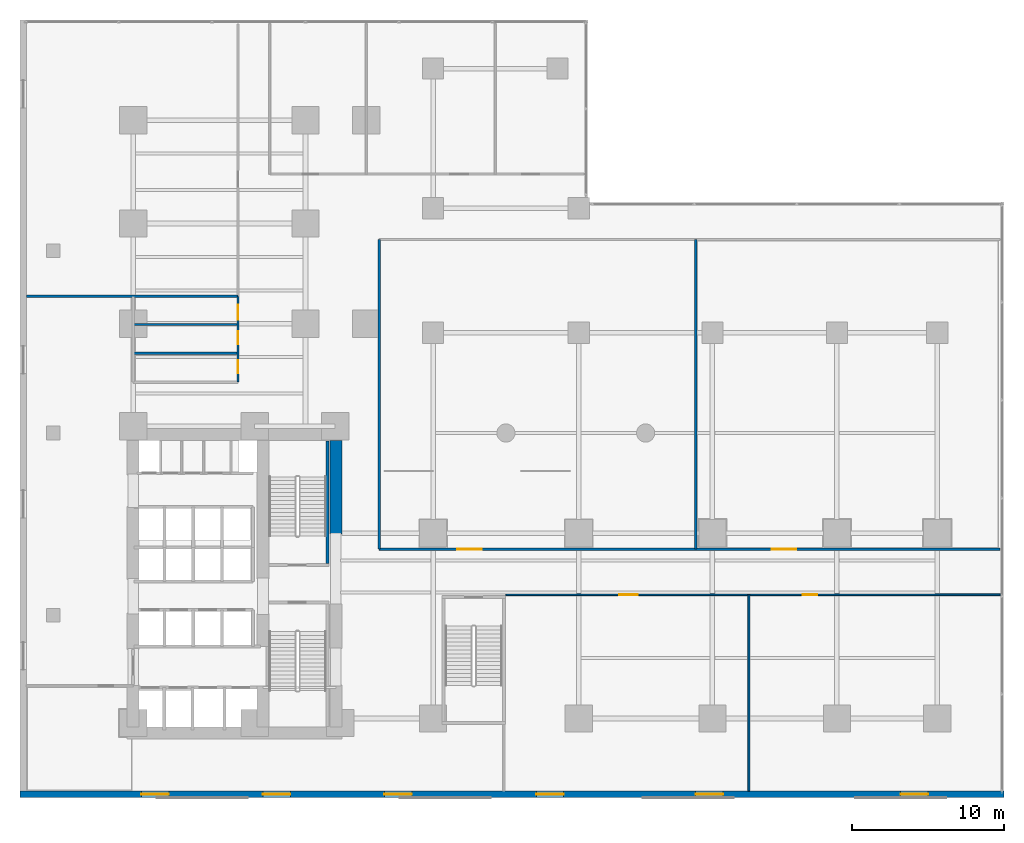
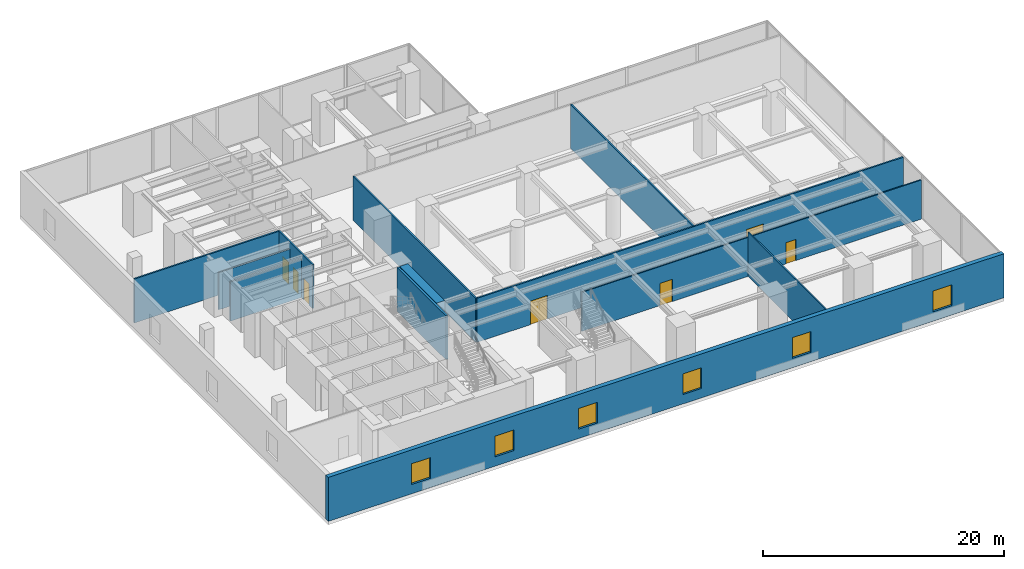
# One storey, part 13 of 16: 12 walls, 7 doors, 6 windows, 13 openings.
"""IFC4 building model written with IfcOpenShell, lengths in metres."""

from ifc_helpers import new_model, si_unit, direction, frame, frame_2d, origin, place, context, subcontext, project, spatial, rectangle, extrude, material, layer, layer_set, type_object, element, fill, save


model = new_model("IFC4")

# Units and contexts
model_context = context("Model", 3, precision=1e-05, world=origin(), true_north=direction((0.0, 1.0)))
body_context = subcontext(model_context, "Body", "Model", "MODEL_VIEW")
ifc_project = project(units=[si_unit("LENGTHUNIT", "METRE"), si_unit("AREAUNIT", "SQUARE_METRE"), si_unit("VOLUMEUNIT", "CUBIC_METRE"), si_unit("PLANEANGLEUNIT", "RADIAN"), si_unit("MASSUNIT", "GRAM", prefix="KILO")], contexts=[model_context])

# Site, building, storey
site_placement = place(None, origin())
site = spatial("IfcSite", under=ifc_project, at=site_placement, CompositionType="ELEMENT")
building_placement = place(site_placement, origin())
building = spatial("IfcBuilding", under=site, at=building_placement, Name="Kolvaren Waterfront Exchange", CompositionType="ELEMENT")
storey_placement = place(building_placement, frame((0.0, 0.0, 10.39990234375)))
storey = spatial("IfcBuildingStorey", under=building, at=storey_placement, Name="L03", CompositionType="ELEMENT", Elevation=10.39990234375)

# Wall, openings, windows
ifc_material_1 = material(Name="Precast concrete C40/50", Category="concrete")
ifc_layer_1 = layer(ifc_material_1, 0.419921875, Name="Precast concrete C40/50")
ifc_layer_set_1 = layer_set([ifc_layer_1], Name="Precast concrete C40/50")
wall_type_1 = type_object("IfcWallType", Name="ARC-EXT-GRANITE-420", PredefinedType="SOLIDWALL", material=ifc_layer_set_1)
wall_1_placement = place(storey_placement, frame((0.0, 0.2099609375, 0.0), z_axis=(0.0, 0.0, 1.0), x_axis=(1.0, 0.0, 0.0)))
wall_1 = element("IfcWall", 1, at=wall_1_placement, inside=storey, type_object=wall_type_1, Name="L03 south granite precast facade wall", PredefinedType="SOLIDWALL", context=body_context, shape_type="SweptSolid", body=[
    extrude(rectangle(XDim=64.800048828125, YDim=0.419921875, at=frame_2d((32.39990234375, 0.0))), origin(), (0.0, 0.0, 1.0), 4.460205078125),
])
opening_1_placement = place(wall_1_placement, frame((8.0, 0.0, 0.949951171875)))
opening_1 = element("IfcOpeningElement", 2, at=opening_1_placement, cuts=wall_1, Name="Opening W03", PredefinedType="OPENING", context=body_context, shape_type="SweptSolid", body=[
    extrude(rectangle(XDim=1.800048828125, YDim=2.10009765625, at=frame_2d((0.89990234375, 1.050048828125))), frame((0.0, 0.219970703125, 0.0), z_axis=(0.0, -1.0, 0.0), x_axis=(1.0, 0.0, 0.0)), (0.0, 0.0, 1.0), 0.43994140625),
])
opening_2_placement = place(wall_1_placement, frame((16.0, 0.0, 0.949951171875)))
opening_2 = element("IfcOpeningElement", 3, at=opening_2_placement, cuts=wall_1, Name="Opening W03", PredefinedType="OPENING", context=body_context, shape_type="SweptSolid", body=[
    extrude(rectangle(XDim=1.800048828125, YDim=2.10009765625, at=frame_2d((0.89990234375, 1.050048828125))), frame((0.0, 0.219970703125, 0.0), z_axis=(0.0, -1.0, 0.0), x_axis=(1.0, 0.0, 0.0)), (0.0, 0.0, 1.0), 0.43994140625),
])
opening_3_placement = place(wall_1_placement, frame((24.0, 0.0, 0.949951171875)))
opening_3 = element("IfcOpeningElement", 4, at=opening_3_placement, cuts=wall_1, Name="Opening W03", PredefinedType="OPENING", context=body_context, shape_type="SweptSolid", body=[
    extrude(rectangle(XDim=1.800048828125, YDim=2.10009765625, at=frame_2d((0.89990234375, 1.050048828125))), frame((0.0, 0.219970703125, 0.0), z_axis=(0.0, -1.0, 0.0), x_axis=(1.0, 0.0, 0.0)), (0.0, 0.0, 1.0), 0.43994140625),
])
opening_4_placement = place(wall_1_placement, frame((34.0, 0.0, 0.949951171875)))
opening_4 = element("IfcOpeningElement", 5, at=opening_4_placement, cuts=wall_1, Name="Opening W03", PredefinedType="OPENING", context=body_context, shape_type="SweptSolid", body=[
    extrude(rectangle(XDim=1.800048828125, YDim=2.10009765625, at=frame_2d((0.89990234375, 1.050048828125))), frame((0.0, 0.219970703125, 0.0), z_axis=(0.0, -1.0, 0.0), x_axis=(1.0, 0.0, 0.0)), (0.0, 0.0, 1.0), 0.43994140625),
])
opening_5_placement = place(wall_1_placement, frame((44.5, 0.0, 0.949951171875)))
opening_5 = element("IfcOpeningElement", 6, at=opening_5_placement, cuts=wall_1, Name="Opening W03", PredefinedType="OPENING", context=body_context, shape_type="SweptSolid", body=[
    extrude(rectangle(XDim=1.800048828125, YDim=2.10009765625, at=frame_2d((0.89990234375, 1.050048828125))), frame((0.0, 0.219970703125, 0.0), z_axis=(0.0, -1.0, 0.0), x_axis=(1.0, 0.0, 0.0)), (0.0, 0.0, 1.0), 0.43994140625),
])
opening_6_placement = place(wall_1_placement, frame((58.0, 0.0, 0.949951171875)))
opening_6 = element("IfcOpeningElement", 7, at=opening_6_placement, cuts=wall_1, Name="Opening W03", PredefinedType="OPENING", context=body_context, shape_type="SweptSolid", body=[
    extrude(rectangle(XDim=1.800048828125, YDim=2.10009765625, at=frame_2d((0.89990234375, 1.050048828125))), frame((0.0, 0.219970703125, 0.0), z_axis=(0.0, -1.0, 0.0), x_axis=(1.0, 0.0, 0.0)), (0.0, 0.0, 1.0), 0.43994140625),
])
ifc_material_2 = material(Name="Bronze solar control vision glass", Category="aluminium")
window_type = type_object("IfcWindowType", Name="ARC-WIN-1800x2100", PartitioningType="SINGLE_PANEL", PredefinedType="WINDOW", material=ifc_material_2)
window_1_placement = place(opening_1_placement, origin())
window_1 = element("IfcWindow", 8, at=window_1_placement, inside=storey, type_object=window_type, Name="L03 south modular window 1", OverallHeight=2.10009765625, OverallWidth=1.800048828125, PartitioningType="SINGLE_PANEL", PredefinedType="WINDOW", context=body_context, shape_type="SweptSolid", body=[
    extrude(rectangle(XDim=1.800048828125, YDim=2.10009765625, at=frame_2d((0.89990234375, 1.050048828125))), frame((0.0, 0.030029296875, 0.0), z_axis=(0.0, -1.0, 0.0), x_axis=(1.0, 0.0, 0.0)), (0.0, 0.0, 1.0), 0.06005859375),
])
fill(opening_1, window_1)
window_2_placement = place(opening_2_placement, origin())
window_2 = element("IfcWindow", 9, at=window_2_placement, inside=storey, type_object=window_type, Name="L03 south modular window 2", OverallHeight=2.10009765625, OverallWidth=1.800048828125, PartitioningType="SINGLE_PANEL", PredefinedType="WINDOW", context=body_context, shape_type="SweptSolid", body=[
    extrude(rectangle(XDim=1.800048828125, YDim=2.10009765625, at=frame_2d((0.89990234375, 1.050048828125))), frame((0.0, 0.030029296875, 0.0), z_axis=(0.0, -1.0, 0.0), x_axis=(1.0, 0.0, 0.0)), (0.0, 0.0, 1.0), 0.06005859375),
])
fill(opening_2, window_2)
window_3_placement = place(opening_3_placement, origin())
window_3 = element("IfcWindow", 10, at=window_3_placement, inside=storey, type_object=window_type, Name="L03 south modular window 3", OverallHeight=2.10009765625, OverallWidth=1.800048828125, PartitioningType="SINGLE_PANEL", PredefinedType="WINDOW", context=body_context, shape_type="SweptSolid", body=[
    extrude(rectangle(XDim=1.800048828125, YDim=2.10009765625, at=frame_2d((0.89990234375, 1.050048828125))), frame((0.0, 0.030029296875, 0.0), z_axis=(0.0, -1.0, 0.0), x_axis=(1.0, 0.0, 0.0)), (0.0, 0.0, 1.0), 0.06005859375),
])
fill(opening_3, window_3)
window_4_placement = place(opening_4_placement, origin())
window_4 = element("IfcWindow", 11, at=window_4_placement, inside=storey, type_object=window_type, Name="L03 south modular window 4", OverallHeight=2.10009765625, OverallWidth=1.800048828125, PartitioningType="SINGLE_PANEL", PredefinedType="WINDOW", context=body_context, shape_type="SweptSolid", body=[
    extrude(rectangle(XDim=1.800048828125, YDim=2.10009765625, at=frame_2d((0.89990234375, 1.050048828125))), frame((0.0, 0.030029296875, 0.0), z_axis=(0.0, -1.0, 0.0), x_axis=(1.0, 0.0, 0.0)), (0.0, 0.0, 1.0), 0.06005859375),
])
fill(opening_4, window_4)
window_5_placement = place(opening_5_placement, origin())
window_5 = element("IfcWindow", 12, at=window_5_placement, inside=storey, type_object=window_type, Name="L03 south modular window 5", OverallHeight=2.10009765625, OverallWidth=1.800048828125, PartitioningType="SINGLE_PANEL", PredefinedType="WINDOW", context=body_context, shape_type="SweptSolid", body=[
    extrude(rectangle(XDim=1.800048828125, YDim=2.10009765625, at=frame_2d((0.89990234375, 1.050048828125))), frame((0.0, 0.030029296875, 0.0), z_axis=(0.0, -1.0, 0.0), x_axis=(1.0, 0.0, 0.0)), (0.0, 0.0, 1.0), 0.06005859375),
])
fill(opening_5, window_5)
window_6_placement = place(opening_6_placement, origin())
window_6 = element("IfcWindow", 13, at=window_6_placement, inside=storey, type_object=window_type, Name="L03 south modular window 6", OverallHeight=2.10009765625, OverallWidth=1.800048828125, PartitioningType="SINGLE_PANEL", PredefinedType="WINDOW", context=body_context, shape_type="SweptSolid", body=[
    extrude(rectangle(XDim=1.800048828125, YDim=2.10009765625, at=frame_2d((0.89990234375, 1.050048828125))), frame((0.0, 0.030029296875, 0.0), z_axis=(0.0, -1.0, 0.0), x_axis=(1.0, 0.0, 0.0)), (0.0, 0.0, 1.0), 0.06005859375),
])
fill(opening_6, window_6)

# Wall, openings, doors
ifc_material_3 = material(Name="Acoustic gypsum steel stud", Category="steel")
ifc_layer_2 = layer(ifc_material_3, 0.125, Name="Acoustic gypsum steel stud")
ifc_layer_set_2 = layer_set([ifc_layer_2], Name="Acoustic gypsum steel stud")
wall_type_2 = type_object("IfcWallType", Name="ARC-PART-125", PredefinedType="PARTITIONING", material=ifc_layer_set_2)
wall_2_placement = place(storey_placement, frame((32.0, 13.35009765625, 0.0), z_axis=(0.0, 0.0, 1.0), x_axis=(1.0, 0.0, 0.0)))
wall_2 = element("IfcWall", 14, at=wall_2_placement, inside=storey, type_object=wall_type_2, Name="L03 interior wall PW-L03-POD-SE-N", PredefinedType="PARTITIONING", context=body_context, shape_type="SweptSolid", body=[
    extrude(rectangle(XDim=32.550048828125, YDim=0.125, at=frame_2d((16.27490234375, 0.0))), origin(), (0.0, 0.0, 1.0), 3.960205078125),
])
opening_7_placement = place(wall_2_placement, frame((7.47021484375, 0.0, 0.0)))
opening_7 = element("IfcOpeningElement", 15, at=opening_7_placement, cuts=wall_2, Name="Opening D05", PredefinedType="OPENING", context=body_context, shape_type="SweptSolid", body=[
    extrude(rectangle(XDim=1.199951171875, YDim=2.25, at=frame_2d((0.60009765625, 1.125))), frame((0.0, 0.072509765625, 0.0), z_axis=(0.0, -1.0, 0.0), x_axis=(1.0, 0.0, 0.0)), (0.0, 0.0, 1.0), 0.14501953125),
])
opening_8_placement = place(wall_2_placement, frame((19.5546875, 0.0, 0.0)))
opening_8 = element("IfcOpeningElement", 16, at=opening_8_placement, cuts=wall_2, Name="Opening D02", PredefinedType="OPENING", context=body_context, shape_type="SweptSolid", body=[
    extrude(rectangle(XDim=0.949951171875, YDim=2.14990234375, at=frame_2d((0.47509765625, 1.074951171875))), frame((0.0, 0.072509765625, 0.0), z_axis=(0.0, -1.0, 0.0), x_axis=(1.0, 0.0, 0.0)), (0.0, 0.0, 1.0), 0.14501953125),
])
ifc_material_4 = material(Name="Anodised bronze framed glass", Category="aluminium")
door_type_1 = type_object("IfcDoorType", Name="ARC-DR-1200", OperationType="NOTDEFINED", PredefinedType="DOOR", material=ifc_material_4)
door_1_placement = place(opening_7_placement, origin())
door_1 = element("IfcDoor", 17, at=door_1_placement, inside=storey, type_object=door_type_1, Name="L03 door DR-L03-PCONF-D (D05)", OperationType="SINGLE_SWING_RIGHT", OverallHeight=2.25, OverallWidth=1.199951171875, PredefinedType="DOOR", context=body_context, shape_type="SweptSolid", body=[
    extrude(rectangle(XDim=1.199951171875, YDim=2.25, at=frame_2d((0.60009765625, 1.125))), frame((0.0, 0.02490234375, 0.0), z_axis=(0.0, -1.0, 0.0), x_axis=(1.0, 0.0, 0.0)), (0.0, 0.0, 1.0), 0.050048828125),
])
fill(opening_7, door_1)
ifc_material_5 = material(Name="Oak veneer acoustic timber", Category="wood")
door_type_2 = type_object("IfcDoorType", Name="ARC-DR-950", OperationType="NOTDEFINED", PredefinedType="DOOR", material=ifc_material_5)
door_2_placement = place(opening_8_placement, origin())
door_2 = element("IfcDoor", 18, at=door_2_placement, inside=storey, type_object=door_type_2, Name="L03 door DR-L03-PPANT-D (D02)", OperationType="SINGLE_SWING_LEFT", OverallHeight=2.14990234375, OverallWidth=0.949951171875, PredefinedType="DOOR", context=body_context, shape_type="SweptSolid", body=[
    extrude(rectangle(XDim=0.949951171875, YDim=2.14990234375, at=frame_2d((0.47509765625, 1.074951171875))), frame((0.0, 0.02490234375, 0.0), z_axis=(0.0, -1.0, 0.0), x_axis=(1.0, 0.0, 0.0)), (0.0, 0.0, 1.0), 0.050048828125),
])
fill(opening_8, door_2)

# Wall
wall_3_placement = place(storey_placement, frame((48.0, 0.419921875, 0.0), z_axis=(0.0, 0.0, 1.0), x_axis=(0.0, 1.0, 0.0)))
element("IfcWall", 19, at=wall_3_placement, inside=storey, type_object=wall_type_2, Name="L03 interior wall PW-L03-POD-SE-MID", PredefinedType="PARTITIONING", context=body_context, shape_type="SweptSolid", body=[
    extrude(rectangle(XDim=12.93017578125, YDim=0.125, at=frame_2d((6.465087890625, 0.0))), origin(), (0.0, 0.0, 1.0), 4.460205078125),
])

# Wall, openings, doors
ifc_material_6 = material(Name="Gypsum fireboard steel stud", Category="steel")
ifc_layer_3 = layer(ifc_material_6, 0.14990234375, Name="Gypsum fireboard steel stud")
ifc_layer_set_3 = layer_set([ifc_layer_3], Name="Gypsum fireboard steel stud")
wall_type_3 = type_object("IfcWallType", Name="ARC-PART-150", PredefinedType="PARTITIONING", material=ifc_layer_set_3)
wall_4_placement = place(storey_placement, frame((23.64990234375, 16.35009765625, 0.0), z_axis=(0.0, 0.0, 1.0), x_axis=(1.0, 0.0, 0.0)))
wall_4 = element("IfcWall", 20, at=wall_4_placement, inside=storey, type_object=wall_type_3, Name="L03 interior wall PW-L03-POD-HALL-S", PredefinedType="PARTITIONING", context=body_context, shape_type="SweptSolid", body=[
    extrude(rectangle(XDim=40.900146484375, YDim=0.14990234375, at=frame_2d((20.4501953125, 0.0))), origin(), (0.0, 0.0, 1.0), 4.460205078125),
])
opening_9_placement = place(wall_4_placement, frame((5.14990234375, 0.0, 0.0)))
opening_9 = element("IfcOpeningElement", 21, at=opening_9_placement, cuts=wall_4, Name="Opening D07", PredefinedType="OPENING", context=body_context, shape_type="SweptSolid", body=[
    extrude(rectangle(XDim=1.60009765625, YDim=2.39990234375, at=frame_2d((0.800048828125, 1.199951171875))), frame((0.0, 0.0849609375, 0.0), z_axis=(0.0, -1.0, 0.0), x_axis=(1.0, 0.0, 0.0)), (0.0, 0.0, 1.0), 0.169921875),
])
opening_10_placement = place(wall_4_placement, frame((25.870361328125, 0.0, 0.0)))
opening_10 = element("IfcOpeningElement", 22, at=opening_10_placement, cuts=wall_4, Name="Opening D07", PredefinedType="OPENING", context=body_context, shape_type="SweptSolid", body=[
    extrude(rectangle(XDim=1.60009765625, YDim=2.39990234375, at=frame_2d((0.800048828125, 1.199951171875))), frame((0.0, 0.0849609375, 0.0), z_axis=(0.0, -1.0, 0.0), x_axis=(1.0, 0.0, 0.0)), (0.0, 0.0, 1.0), 0.169921875),
])
ifc_material_7 = material(Name="Anodised bronze double leaf", Category="aluminium")
door_type_3 = type_object("IfcDoorType", Name="ARC-DR-1600", OperationType="NOTDEFINED", PredefinedType="DOOR", material=ifc_material_7)
door_3_placement = place(opening_9_placement, origin())
door_3 = element("IfcDoor", 23, at=door_3_placement, inside=storey, type_object=door_type_3, Name="L03 door DR-L03-PM1-D (D07)", OperationType="SINGLE_SWING_RIGHT", OverallHeight=2.39990234375, OverallWidth=1.60009765625, PredefinedType="DOOR", context=body_context, shape_type="SweptSolid", body=[
    extrude(rectangle(XDim=1.60009765625, YDim=2.39990234375, at=frame_2d((0.800048828125, 1.199951171875))), frame((0.0, 0.02490234375, 0.0), z_axis=(0.0, -1.0, 0.0), x_axis=(1.0, 0.0, 0.0)), (0.0, 0.0, 1.0), 0.050048828125),
])
fill(opening_9, door_3)
door_4_placement = place(opening_10_placement, origin())
door_4 = element("IfcDoor", 24, at=door_4_placement, inside=storey, type_object=door_type_3, Name="L03 door DR-L03-PM2-D (D07)", OperationType="SINGLE_SWING_LEFT", OverallHeight=2.39990234375, OverallWidth=1.60009765625, PredefinedType="DOOR", context=body_context, shape_type="SweptSolid", body=[
    extrude(rectangle(XDim=1.60009765625, YDim=2.39990234375, at=frame_2d((0.800048828125, 1.199951171875))), frame((0.0, 0.02490234375, 0.0), z_axis=(0.0, -1.0, 0.0), x_axis=(1.0, 0.0, 0.0)), (0.0, 0.0, 1.0), 0.050048828125),
])
fill(opening_10, door_4)

# Walls
for number, where, z_axis, x_axis, name in (
    (25, (23.64990234375, 16.35009765625, 0.0), (0.0, 0.0, 1.0), (0.0, 1.0, 0.0), "L03 interior wall PW-L03-POD-HALL-W"),
    (26, (44.5, 16.35009765625, 0.0), (0.0, 0.0, 1.0), (0.0, 1.0, 0.0), "L03 interior wall PW-L03-POD-HALL-MID"),
):
    element("IfcWall", number, at=place(storey_placement, frame(where, z_axis=z_axis, x_axis=x_axis)), inside=storey, type_object=wall_type_3, Name=name, PredefinedType="PARTITIONING", context=body_context, shape_type="SweptSolid", body=[
        extrude(rectangle(XDim=20.39990234375, YDim=0.14990234375, at=frame_2d((10.199951171875, 0.0))), origin(), (0.0, 0.0, 1.0), 4.460205078125),
    ])

# Wall, openings, doors
ifc_material_8 = material(Name="Moisture-resistant gypsum stud")
ifc_layer_4 = layer(ifc_material_8, 0.14990234375, Name="Moisture-resistant gypsum stud")
ifc_layer_set_4 = layer_set([ifc_layer_4], Name="Moisture-resistant gypsum stud")
wall_type_4 = type_object("IfcWallType", Name="ARC-PLUMB-150", PredefinedType="PLUMBINGWALL", material=ifc_layer_set_4)
wall_5_placement = place(storey_placement, frame((14.35009765625, 27.35009765625, 0.0), z_axis=(0.0, 0.0, 1.0), x_axis=(0.0, 1.0, 0.0)))
wall_5 = element("IfcWall", 27, at=wall_5_placement, inside=storey, type_object=wall_type_4, Name="L03 interior wall PW-L03-WC-E", PredefinedType="PLUMBINGWALL", context=body_context, shape_type="SweptSolid", body=[
    extrude(rectangle(XDim=5.64990234375, YDim=0.14990234375, at=frame_2d((2.824951171875, 0.0))), origin(), (0.0, 0.0, 1.0), 4.460205078125),
])
opening_11_placement = place(wall_5_placement, frame((0.60009765625, 0.0, 0.0)))
opening_11 = element("IfcOpeningElement", 28, at=opening_11_placement, cuts=wall_5, Name="Opening D01", PredefinedType="OPENING", context=body_context, shape_type="SweptSolid", body=[
    extrude(rectangle(XDim=0.85009765625, YDim=2.14990234375, at=frame_2d((0.425048828125, 1.074951171875))), frame((0.0, 0.0849609375, 0.0), z_axis=(0.0, -1.0, 0.0), x_axis=(1.0, 0.0, 0.0)), (0.0, 0.0, 1.0), 0.169921875),
])
opening_12_placement = place(wall_5_placement, frame((2.5, 0.0, 0.0)))
opening_12 = element("IfcOpeningElement", 29, at=opening_12_placement, cuts=wall_5, Name="Opening D01", PredefinedType="OPENING", context=body_context, shape_type="SweptSolid", body=[
    extrude(rectangle(XDim=0.85009765625, YDim=2.14990234375, at=frame_2d((0.425048828125, 1.074951171875))), frame((0.0, 0.0849609375, 0.0), z_axis=(0.0, -1.0, 0.0), x_axis=(1.0, 0.0, 0.0)), (0.0, 0.0, 1.0), 0.169921875),
])
opening_13_placement = place(wall_5_placement, frame((4.10009765625, 0.0, 0.0)))
opening_13 = element("IfcOpeningElement", 30, at=opening_13_placement, cuts=wall_5, Name="Opening D03", PredefinedType="OPENING", context=body_context, shape_type="SweptSolid", body=[
    extrude(rectangle(XDim=1.0, YDim=2.199951171875, at=frame_2d((0.5, 1.10009765625))), frame((0.0, 0.0849609375, 0.0), z_axis=(0.0, -1.0, 0.0), x_axis=(1.0, 0.0, 0.0)), (0.0, 0.0, 1.0), 0.169921875),
])
ifc_material_9 = material(Name="Oak veneer accessible timber", Category="wood")
door_type_4 = type_object("IfcDoorType", Name="ARC-DR-1000", OperationType="NOTDEFINED", PredefinedType="DOOR", material=ifc_material_9)
door_5_placement = place(opening_13_placement, origin())
door_5 = element("IfcDoor", 31, at=door_5_placement, inside=storey, type_object=door_type_4, Name="L03 door DR-L03-WCA-D (D03)", OperationType="SINGLE_SWING_RIGHT", OverallHeight=2.199951171875, OverallWidth=1.0, PredefinedType="DOOR", context=body_context, shape_type="SweptSolid", body=[
    extrude(rectangle(XDim=1.0, YDim=2.199951171875, at=frame_2d((0.5, 1.10009765625))), frame((0.0, 0.02490234375, 0.0), z_axis=(0.0, -1.0, 0.0), x_axis=(1.0, 0.0, 0.0)), (0.0, 0.0, 1.0), 0.050048828125),
])
fill(opening_13, door_5)
ifc_material_10 = material(Name="Oak veneer timber leaf", Category="wood")
door_type_5 = type_object("IfcDoorType", Name="ARC-DR-900", OperationType="NOTDEFINED", PredefinedType="DOOR", material=ifc_material_10)
door_6_placement = place(opening_11_placement, origin())
door_6 = element("IfcDoor", 32, at=door_6_placement, inside=storey, type_object=door_type_5, Name="L03 door DR-L03-WCM-D (D01)", OperationType="SINGLE_SWING_RIGHT", OverallHeight=2.14990234375, OverallWidth=0.85009765625, PredefinedType="DOOR", context=body_context, shape_type="SweptSolid", body=[
    extrude(rectangle(XDim=0.85009765625, YDim=2.14990234375, at=frame_2d((0.425048828125, 1.074951171875))), frame((0.0, 0.02490234375, 0.0), z_axis=(0.0, -1.0, 0.0), x_axis=(1.0, 0.0, 0.0)), (0.0, 0.0, 1.0), 0.050048828125),
])
fill(opening_11, door_6)
door_7_placement = place(opening_12_placement, origin())
door_7 = element("IfcDoor", 33, at=door_7_placement, inside=storey, type_object=door_type_5, Name="L03 door DR-L03-WCF-D (D01)", OperationType="SINGLE_SWING_LEFT", OverallHeight=2.14990234375, OverallWidth=0.85009765625, PredefinedType="DOOR", context=body_context, shape_type="SweptSolid", body=[
    extrude(rectangle(XDim=0.85009765625, YDim=2.14990234375, at=frame_2d((0.425048828125, 1.074951171875))), frame((0.0, 0.02490234375, 0.0), z_axis=(0.0, -1.0, 0.0), x_axis=(1.0, 0.0, 0.0)), (0.0, 0.0, 1.0), 0.050048828125),
])
fill(opening_12, door_7)

# Walls
wall_6_placement = place(storey_placement, frame((7.449951171875, 29.25, 0.0), z_axis=(0.0, 0.0, 1.0), x_axis=(1.0, 0.0, 0.0)))
element("IfcWall", 34, at=wall_6_placement, inside=storey, type_object=wall_type_4, Name="L03 interior wall PW-L03-WC-N1", PredefinedType="PLUMBINGWALL", context=body_context, shape_type="SweptSolid", body=[
    extrude(rectangle(XDim=6.900146484375, YDim=0.14990234375, at=frame_2d((3.4501953125, 0.0))), origin(), (0.0, 0.0, 1.0), 3.960205078125),
])
wall_7_placement = place(storey_placement, frame((7.449951171875, 31.14990234375, 0.0), z_axis=(0.0, 0.0, 1.0), x_axis=(1.0, 0.0, 0.0)))
element("IfcWall", 35, at=wall_7_placement, inside=storey, type_object=wall_type_4, Name="L03 interior wall PW-L03-WC-N2", PredefinedType="PLUMBINGWALL", context=body_context, shape_type="SweptSolid", body=[
    extrude(rectangle(XDim=6.900146484375, YDim=0.14990234375, at=frame_2d((3.4501953125, 0.0))), origin(), (0.0, 0.0, 1.0), 3.760009765625),
])
wall_8_placement = place(storey_placement, frame((0.419921875, 33.0, 0.0), z_axis=(0.0, 0.0, 1.0), x_axis=(1.0, 0.0, 0.0)))
element("IfcWall", 36, at=wall_8_placement, inside=storey, type_object=wall_type_4, Name="L03 interior wall PW-L03-WC-N3", PredefinedType="PLUMBINGWALL", context=body_context, shape_type="SweptSolid", body=[
    extrude(rectangle(XDim=13.93017578125, YDim=0.14990234375, at=frame_2d((6.965087890625, 0.0))), origin(), (0.0, 0.0, 1.0), 4.460205078125),
])
ifc_material_11 = material(Name="Concrete C40/50", Category="concrete")
ifc_layer_5 = layer(ifc_material_11, 0.199951171875, Name="Concrete C40/50")
ifc_layer_set_5 = layer_set([ifc_layer_5], Name="Concrete C40/50")
wall_type_5 = type_object("IfcWallType", Name="ARC-SHAFT-200", PredefinedType="PARTITIONING", material=ifc_layer_set_5)
wall_9_placement = place(storey_placement, frame((20.260009765625, 15.39990234375, 0.0), z_axis=(0.0, 0.0, 1.0), x_axis=(0.0, 1.0, 0.0)))
element("IfcWall", 37, at=wall_9_placement, inside=storey, type_object=wall_type_5, Name="L03 structural stairwell wall PW-L03-ST2-E", PredefinedType="SHEAR", context=body_context, shape_type="SweptSolid", body=[
    extrude(rectangle(XDim=8.090087890625, YDim=0.199951171875, at=frame_2d((4.044921875, 0.0))), origin(), (0.0, 0.0, 1.0), 4.460205078125),
])
ifc_material_12 = material(Name="Concrete C70/85", Category="concrete")
ifc_layer_6 = layer(ifc_material_12, 0.800048828125, Name="Concrete C70/85")
ifc_layer_set_6 = layer_set([ifc_layer_6], Name="Concrete C70/85")
wall_type_6 = type_object("IfcWallType", Name="STR-CWALL-800", PredefinedType="SHEAR", material=ifc_layer_set_6)
wall_10_placement = place(storey_placement, frame((20.800048828125, 17.35009765625, 0.0), z_axis=(0.0, 0.0, 1.0), x_axis=(0.0, 1.0, 0.0)))
element("IfcWall", 38, at=wall_10_placement, inside=storey, type_object=wall_type_6, Name="L03 rear-core shear wall E3", PredefinedType="SHEAR", context=body_context, shape_type="SweptSolid", body=[
    extrude(rectangle(XDim=6.14990234375, YDim=0.800048828125, at=frame_2d((3.074951171875, 0.0))), origin(), (0.0, 0.0, 1.0), 4.460205078125),
])

save(model, "model.ifc")
